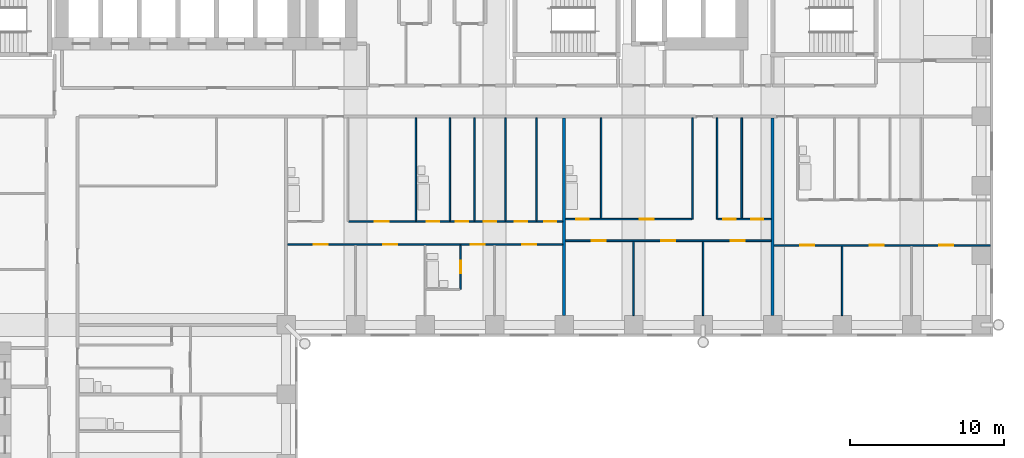
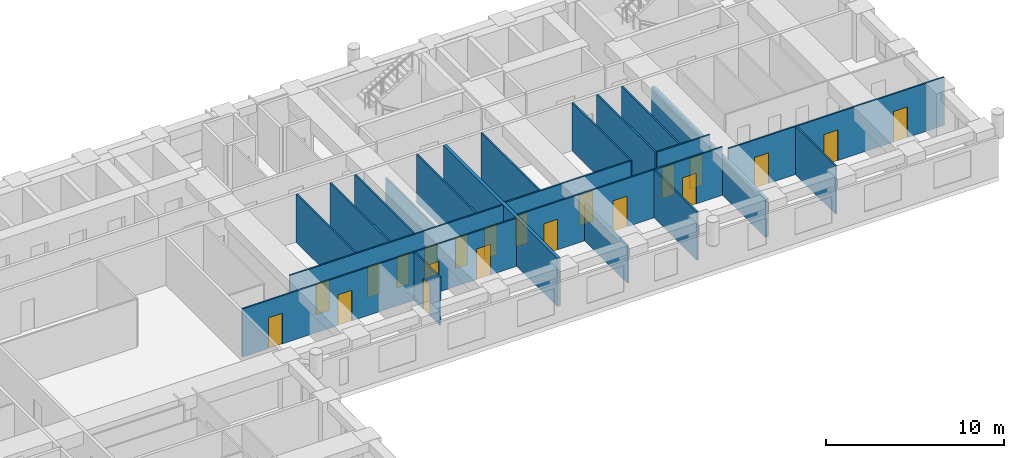
# One storey, part 9 of 14: 21 doors, 21 walls, 21 openings.
"""IFC4 building model written with IfcOpenShell, lengths in metres."""

import ifcopenshell
import ifcopenshell.guid

model = None  # the IFC model being written
_history = None  # IfcOwnerHistory: only IFC2X3 demands one
_inside = {}  # id of a spatial element -> (the spatial element, [elements in it])
_under = {}  # id of a project, library or spatial element -> (it, [spatial elements below it])
_declared = {}  # id of a project -> (the project, [libraries it declares])
_typed = {}  # id of a type object -> (the type object, [elements of that type])
_made_of = {}  # id of a material, layer set ... -> (it, [elements and type objects made of it])


def new_model(schema):
    """Start an empty IFC model of exactly this schema.

    Asked for "IFC4X3", IfcOpenShell would pick the latest addendum, in which some entities
    have other attributes; the version numbers below select the first issue.
    IFC2X3 requires an IfcOwnerHistory on every rooted entity: one is made here for all.
    """
    global model, _history
    if schema == "IFC4X3":
        model = ifcopenshell.file(schema_version=(4, 3, 0, 0))
    else:
        model = ifcopenshell.file(schema=schema)
    _inside.clear()
    _under.clear()
    _declared.clear()
    _typed.clear()
    _made_of.clear()
    _history = None
    if model.schema == "IFC2X3":
        org = make("IfcOrganization", Name="unknown")
        user = make(
            "IfcPersonAndOrganization",
            ThePerson=make("IfcPerson", FamilyName="unknown"),
            TheOrganization=org,
        )
        app = make(
            "IfcApplication",
            ApplicationDeveloper=org,
            Version="unknown",
            ApplicationFullName="unknown",
            ApplicationIdentifier="unknown",
        )
        _history = make(
            "IfcOwnerHistory",
            OwningUser=user,
            OwningApplication=app,
            ChangeAction="ADDED",
            CreationDate=0,
        )
    return model


def make(cls, **values):
    """One entity of the class cls with the attributes given. An attribute that is None is left unset."""
    return model.create_entity(
        cls, **{name: value for name, value in values.items() if value is not None}
    )


def rooted(cls, **values):
    """An entity with a GlobalId (a new one), such as an element, a storey or a relation."""
    return make(cls, GlobalId=ifcopenshell.guid.new(), OwnerHistory=_history, **values)


def si_unit(unit_type, name, prefix=None):
    """IfcSIUnit, for example si_unit("LENGTHUNIT", "METRE", prefix="MILLI")."""
    return make("IfcSIUnit", UnitType=unit_type, Prefix=prefix, Name=name)


def assignment(units):
    """IfcUnitAssignment: the units of a project."""
    return None if units is None else make("IfcUnitAssignment", Units=units)


def point(xyz):
    """IfcCartesianPoint."""
    return None if xyz is None else make("IfcCartesianPoint", Coordinates=xyz)


def direction(xyz):
    """IfcDirection."""
    return None if xyz is None else make("IfcDirection", DirectionRatios=xyz)


def frame(location, z_axis=None, x_axis=None):
    """IfcAxis2Placement3D, a coordinate frame: its origin and axes. An axis left out is left unset."""
    return make(
        "IfcAxis2Placement3D",
        Location=point(location),
        Axis=direction(z_axis),
        RefDirection=direction(x_axis),
    )


def frame_2d(location, x_axis=None):
    """IfcAxis2Placement2D, a coordinate frame in the plane: its origin and x axis."""
    return make(
        "IfcAxis2Placement2D", Location=point(location), RefDirection=direction(x_axis)
    )


def origin():
    """The frame at (0, 0, 0) with its axes left unset."""
    return frame((0.0, 0.0, 0.0))


def place(relative_to, where):
    """IfcLocalPlacement: puts the frame where relative to a parent placement (None: the world)."""
    return make(
        "IfcLocalPlacement", PlacementRelTo=relative_to, RelativePlacement=where
    )


def context(
    kind, dimensions, precision=None, world=None, true_north=None, identifier=None
):
    """IfcGeometricRepresentationContext, for example the 3D "Model" context."""
    return make(
        "IfcGeometricRepresentationContext",
        ContextIdentifier=identifier,
        ContextType=kind,
        CoordinateSpaceDimension=dimensions,
        Precision=precision,
        WorldCoordinateSystem=world,
        TrueNorth=true_north,
    )


def subcontext(parent, identifier, kind, view, scale=None):
    """IfcGeometricRepresentationSubContext, for example "Body" below "Model"."""
    return make(
        "IfcGeometricRepresentationSubContext",
        ContextIdentifier=identifier,
        ContextType=kind,
        ParentContext=parent,
        TargetScale=scale,
        TargetView=view,
    )


def project(units=None, contexts=None):
    """IfcProject with its units and contexts."""
    return rooted(
        "IfcProject",
        Name="project",
        RepresentationContexts=contexts,
        UnitsInContext=assignment(units),
    )


def spatial(cls, under=None, at=None, **own):
    """A site, building, storey or space (cls), placed at a placement, below another one or the project."""
    s = rooted(cls, ObjectPlacement=at, **own)
    if under is not None:
        _under.setdefault(under.id(), (under, []))[1].append(s)
    return s


def profile(cls, at=None, kind="AREA", **sizes):
    """A parametric profile (cls). Its sizes go by their IFC names, for example OverallWidth=200.0."""
    return make(cls, ProfileType=kind, Position=at, **sizes)


def rectangle(**sizes):
    """IfcRectangleProfileDef."""
    return profile("IfcRectangleProfileDef", **sizes)


def extrude(swept, where, along, depth):
    """IfcExtrudedAreaSolid: the profile swept, set in the frame where, extruded along a direction by depth."""
    return make(
        "IfcExtrudedAreaSolid",
        SweptArea=swept,
        Position=where,
        ExtrudedDirection=direction(along),
        Depth=depth,
    )


def shape(context_of_items, identifier, shape_type, items):
    """IfcShapeRepresentation: the items that make up one representation, for example the "Body"."""
    return make(
        "IfcShapeRepresentation",
        ContextOfItems=context_of_items,
        RepresentationIdentifier=identifier,
        RepresentationType=shape_type,
        Items=items,
    )


def material(Name=None, Category=None):
    """IfcMaterial."""
    return make("IfcMaterial", Name=Name, Category=Category)


def layer(
    of_material, thickness, ventilated=None, Name=None, Category=None, Priority=None
):
    """IfcMaterialLayer: one layer of a wall or slab, of a material (None: an air gap)."""
    return make(
        "IfcMaterialLayer",
        Material=of_material,
        LayerThickness=thickness,
        IsVentilated=ventilated,
        Name=Name,
        Category=Category,
        Priority=Priority,
    )


def layer_set(layers, Name=None):
    """IfcMaterialLayerSet."""
    return make("IfcMaterialLayerSet", MaterialLayers=layers, LayerSetName=Name)


def made_of(thing, what):
    """Note that an element or type object is made of a material, layer set ...; save() writes the relation."""
    if what is not None:
        _made_of.setdefault(what.id(), (what, []))[1].append(thing)
    return thing


def type_object(cls, material=None, **own):
    """A type object (cls), such as IfcWallType, which elements share."""
    return made_of(rooted(cls, **own), material)


def element(
    cls,
    number,
    at=None,
    inside=None,
    cuts=None,
    type_object=None,
    material=None,
    context=None,
    identifier="Body",
    shape_type=None,
    held_by="IfcProductDefinitionShape",
    body=None,
    shapes=None,
    **own,
):
    """One element of the class cls, such as IfcWall. Its Tag is "e" and its number.

    at: its placement. inside: the storey or other place that contains it. cuts: it is an
    opening in that element (IfcRelVoidsElement). A single representation is given by context,
    identifier, shape_type and body (its items); several are given by shapes. held_by: the class
    of the entity that holds the representations. save() writes the other relations.
    """
    e = rooted(cls, Tag="e%d" % number, ObjectPlacement=at, **own)
    if body is not None:
        shapes = [shape(context, identifier, shape_type, body)]
    if shapes is not None:
        e.Representation = make(held_by, Representations=shapes)
    if inside is not None:
        _inside.setdefault(inside.id(), (inside, []))[1].append(e)
    if cuts is not None:
        rooted(
            "IfcRelVoidsElement", RelatingBuildingElement=cuts, RelatedOpeningElement=e
        )
    if type_object is not None:
        _typed.setdefault(type_object.id(), (type_object, []))[1].append(e)
    return made_of(e, material)


def fill(opening, filler):
    """IfcRelFillsElement: the door or window that sits in an opening."""
    return rooted(
        "IfcRelFillsElement",
        RelatingOpeningElement=opening,
        RelatedBuildingElement=filler,
    )


def aggregate(whole, parts):
    """IfcRelAggregates: a whole, such as a stair, and the parts it consists of."""
    return rooted("IfcRelAggregates", RelatingObject=whole, RelatedObjects=parts)


def save(model, path):
    """Write the relations noted so far, then the file.

    IfcRelAggregates (storeys below a building ...), IfcRelContainedInSpatialStructure (elements
    in a storey), IfcRelDefinesByType, IfcRelAssociatesMaterial and IfcRelDeclares: one each for
    every whole, place, type object, material and project.
    """
    for whole, parts in _under.values():
        aggregate(whole, parts)
    for where, things in _inside.values():
        rooted(
            "IfcRelContainedInSpatialStructure",
            RelatedElements=things,
            RelatingStructure=where,
        )
    for kind, things in _typed.values():
        rooted("IfcRelDefinesByType", RelatedObjects=things, RelatingType=kind)
    for what, things in _made_of.values():
        rooted("IfcRelAssociatesMaterial", RelatedObjects=things, RelatingMaterial=what)
    for by, libraries in _declared.values():
        rooted("IfcRelDeclares", RelatingContext=by, RelatedDefinitions=libraries)
    model.write(path)


model = new_model("IFC4")

# Units and contexts
model_context = context("Model", 3, precision=1e-05, world=origin(), true_north=direction((0.0, 1.0)))
body_context = subcontext(model_context, "Body", "Model", "MODEL_VIEW")
ifc_project = project(units=[si_unit("LENGTHUNIT", "METRE"), si_unit("AREAUNIT", "SQUARE_METRE"), si_unit("VOLUMEUNIT", "CUBIC_METRE"), si_unit("PLANEANGLEUNIT", "RADIAN"), si_unit("MASSUNIT", "GRAM", prefix="KILO")], contexts=[model_context])

# Site, building, storey
site_placement = place(None, origin())
site = spatial("IfcSite", under=ifc_project, at=site_placement, CompositionType="ELEMENT")
building_placement = place(site_placement, origin())
building = spatial("IfcBuilding", under=site, at=building_placement, Name="Firuza Court", CompositionType="ELEMENT")
storey_placement = place(building_placement, frame((0.0, 0.0, 47.0)))
storey = spatial("IfcBuildingStorey", under=building, at=storey_placement, Name="L10", CompositionType="ELEMENT", Elevation=47.0)

# Wall, opening, door
ifc_material_1 = material(Name="Moisture-resistant gypsum board partition")
ifc_layer_1 = layer(ifc_material_1, 0.10009765625)
ifc_layer_set_1 = layer_set([ifc_layer_1], Name="Moisture-resistant gypsum board partition")
wall_type_1 = type_object("IfcWallType", Name="Bathroom partition 100", PredefinedType="PLUMBINGWALL", material=ifc_layer_set_1)
wall_1_placement = place(storey_placement, frame((33.800048828125, 38.300048828125, 0.0), z_axis=(0.0, 0.0, 1.0), x_axis=(0.0, 1.0, 0.0)))
wall_1 = element("IfcWall", 1, at=wall_1_placement, inside=storey, type_object=wall_type_1, Name="Bathroom partition 100 L10", PredefinedType="PLUMBINGWALL", context=body_context, shape_type="SweptSolid", body=[
    extrude(rectangle(XDim=2.849853515625, YDim=0.10009765625, at=frame_2d((1.4248046875, 0.0))), origin(), (0.0, 0.0, 1.0), 3.300048828125),
])
opening_1_placement = place(wall_1_placement, frame((1.050048828125, 0.0, 0.0)))
opening_1 = element("IfcOpeningElement", 2, at=opening_1_placement, cuts=wall_1, Name="Opening D10043", PredefinedType="OPENING", context=body_context, shape_type="SweptSolid", body=[
    extrude(rectangle(XDim=0.800048828125, YDim=2.10009765625, at=frame_2d((0.39990234375, 1.050048828125))), frame((0.0, 0.06201171875, 0.0), z_axis=(0.0, -1.0, 0.0), x_axis=(1.0, 0.0, 0.0)), (0.0, 0.0, 1.0), 0.1240234375),
])
ifc_material_2 = material(Name="Timber door leaf in hardwood frame", Category="wood")
door_type_1 = type_object("IfcDoorType", Name="Bathroom door 800", OperationType="SINGLE_SWING_LEFT", PredefinedType="DOOR", material=ifc_material_2)
door_1_placement = place(opening_1_placement, origin())
door_1 = element("IfcDoor", 3, at=door_1_placement, inside=storey, type_object=door_type_1, Name="En-suite door", OperationType="SINGLE_SWING_LEFT", OverallHeight=2.10009765625, OverallWidth=0.800048828125, PredefinedType="DOOR", context=body_context, shape_type="SweptSolid", body=[
    extrude(rectangle(XDim=0.800048828125, YDim=2.10009765625, at=frame_2d((0.39990234375, 1.050048828125))), frame((0.0, 0.02490234375, 0.0), z_axis=(0.0, -1.0, 0.0), x_axis=(1.0, 0.0, 0.0)), (0.0, 0.0, 1.0), 0.050048828125),
])
fill(opening_1, door_1)

# Walls
for number, where, z_axis, x_axis, name in (
    (4, (30.89990234375, 42.75, 0.0), (0.0, 0.0, 1.0), (0.0, 1.0, 0.0), "Bathroom partition 100 L10"),
    (5, (33.10009765625, 42.75, 0.0), (0.0, 0.0, 1.0), (0.0, 1.0, 0.0), "Bathroom partition 100 L10"),
):
    element("IfcWall", number, at=place(storey_placement, frame(where, z_axis=z_axis, x_axis=x_axis)), inside=storey, type_object=wall_type_1, Name=name, PredefinedType="PLUMBINGWALL", context=body_context, shape_type="SweptSolid", body=[
        extrude(rectangle(XDim=6.64990234375, YDim=0.10009765625, at=frame_2d((3.324951171875, 0.0))), origin(), (0.0, 0.0, 1.0), 3.300048828125),
    ])
wall_2_placement = place(storey_placement, frame((42.89990234375, 42.89990234375, 0.0), z_axis=(0.0, 0.0, 1.0), x_axis=(0.0, 1.0, 0.0)))
element("IfcWall", 6, at=wall_2_placement, inside=storey, type_object=wall_type_1, Name="Bathroom partition 100 L10", PredefinedType="PLUMBINGWALL", context=body_context, shape_type="SweptSolid", body=[
    extrude(rectangle(XDim=6.5, YDim=0.10009765625, at=frame_2d((3.25, 0.0))), origin(), (0.0, 0.0, 1.0), 3.300048828125),
])
ifc_material_3 = material(Name="Timber stud partition, plasterboard both sides", Category="wood")
ifc_layer_2 = layer(ifc_material_3, 0.10009765625)
ifc_layer_set_2 = layer_set([ifc_layer_2], Name="Timber stud partition, plasterboard both sides")
wall_type_2 = type_object("IfcWallType", Name="Partition wall 100", PredefinedType="PARTITIONING", material=ifc_layer_set_2)
wall_3_placement = place(storey_placement, frame((45.0, 36.60009765625, 0.0), z_axis=(0.0, 0.0, 1.0), x_axis=(0.0, 1.0, 0.0)))
element("IfcWall", 7, at=wall_3_placement, inside=storey, type_object=wall_type_2, Name="Partition wall 100 L10", PredefinedType="PARTITIONING", context=body_context, shape_type="SweptSolid", body=[
    extrude(rectangle(XDim=4.7998046875, YDim=0.10009765625, at=frame_2d((2.39990234375, 0.0))), origin(), (0.0, 0.0, 1.0), 2.60009765625),
])
wall_4_placement = place(storey_placement, frame((49.5, 36.60009765625, 0.0), z_axis=(0.0, 0.0, 1.0), x_axis=(0.0, 1.0, 0.0)))
element("IfcWall", 8, at=wall_4_placement, inside=storey, type_object=wall_type_2, Name="Partition wall 100 L10", PredefinedType="PARTITIONING", context=body_context, shape_type="SweptSolid", body=[
    extrude(rectangle(XDim=4.7998046875, YDim=0.10009765625, at=frame_2d((2.39990234375, 0.0))), origin(), (0.0, 0.0, 1.0), 3.300048828125),
])
wall_5_placement = place(storey_placement, frame((58.5, 36.60009765625, 0.0), z_axis=(0.0, 0.0, 1.0), x_axis=(0.0, 1.0, 0.0)))
element("IfcWall", 9, at=wall_5_placement, inside=storey, type_object=wall_type_2, Name="Partition wall 100 L10", PredefinedType="PARTITIONING", context=body_context, shape_type="SweptSolid", body=[
    extrude(rectangle(XDim=4.5, YDim=0.10009765625, at=frame_2d((2.25, 0.0))), origin(), (0.0, 0.0, 1.0), 3.300048828125),
])

# Wall, openings, doors
wall_6_placement = place(storey_placement, frame((54.10009765625, 41.14990234375, 0.0), z_axis=(0.0, 0.0, 1.0), x_axis=(1.0, 0.0, 0.0)))
wall_6 = element("IfcWall", 10, at=wall_6_placement, inside=storey, type_object=wall_type_2, Name="Partition wall 100 L10", PredefinedType="PARTITIONING", context=body_context, shape_type="SweptSolid", body=[
    extrude(rectangle(XDim=14.0, YDim=0.10009765625, at=frame_2d((7.0, 0.0))), origin(), (0.0, 0.0, 1.0), 3.300048828125),
])
opening_2_placement = place(wall_6_placement, frame((1.699951171875, 0.0, 0.0)))
opening_2 = element("IfcOpeningElement", 11, at=opening_2_placement, cuts=wall_6, Name="Opening D10044", PredefinedType="OPENING", context=body_context, shape_type="SweptSolid", body=[
    extrude(rectangle(XDim=0.89990234375, YDim=2.10009765625, at=frame_2d((0.449951171875, 1.050048828125))), frame((0.0, 0.06201171875, 0.0), z_axis=(0.0, -1.0, 0.0), x_axis=(1.0, 0.0, 0.0)), (0.0, 0.0, 1.0), 0.1240234375),
])
opening_3_placement = place(wall_6_placement, frame((6.199951171875, 0.0, 0.0)))
opening_3 = element("IfcOpeningElement", 12, at=opening_3_placement, cuts=wall_6, Name="Opening D10045", PredefinedType="OPENING", context=body_context, shape_type="SweptSolid", body=[
    extrude(rectangle(XDim=0.89990234375, YDim=2.10009765625, at=frame_2d((0.449951171875, 1.050048828125))), frame((0.0, 0.06201171875, 0.0), z_axis=(0.0, -1.0, 0.0), x_axis=(1.0, 0.0, 0.0)), (0.0, 0.0, 1.0), 0.1240234375),
])
opening_4_placement = place(wall_6_placement, frame((10.699951171875, 0.0, 0.0)))
opening_4 = element("IfcOpeningElement", 13, at=opening_4_placement, cuts=wall_6, Name="Opening D10046", PredefinedType="OPENING", context=body_context, shape_type="SweptSolid", body=[
    extrude(rectangle(XDim=0.89990234375, YDim=2.10009765625, at=frame_2d((0.449951171875, 1.050048828125))), frame((0.0, 0.06201171875, 0.0), z_axis=(0.0, -1.0, 0.0), x_axis=(1.0, 0.0, 0.0)), (0.0, 0.0, 1.0), 0.1240234375),
])
ifc_material_4 = material(Name="Timber door leaf in hardwood frame", Category="wood")
door_type_2 = type_object("IfcDoorType", Name="Room door 900", OperationType="SINGLE_SWING_LEFT", PredefinedType="DOOR", material=ifc_material_4)
door_2_placement = place(opening_2_placement, frame((0.89990234375, 0.0, 0.0), z_axis=(0.0, 0.0, 1.0), x_axis=(-1.0, 0.0, 0.0)))
door_2 = element("IfcDoor", 14, at=door_2_placement, inside=storey, type_object=door_type_2, Name="Living room door", OperationType="SINGLE_SWING_RIGHT", OverallHeight=2.10009765625, OverallWidth=0.89990234375, PredefinedType="DOOR", context=body_context, shape_type="SweptSolid", body=[
    extrude(rectangle(XDim=0.89990234375, YDim=2.10009765625, at=frame_2d((0.449951171875, 1.050048828125))), frame((0.0, 0.02490234375, 0.0), z_axis=(0.0, -1.0, 0.0), x_axis=(1.0, 0.0, 0.0)), (0.0, 0.0, 1.0), 0.050048828125),
])
fill(opening_2, door_2)
door_3_placement = place(opening_3_placement, frame((0.89990234375, 0.0, 0.0), z_axis=(0.0, 0.0, 1.0), x_axis=(-1.0, 0.0, 0.0)))
door_3 = element("IfcDoor", 15, at=door_3_placement, inside=storey, type_object=door_type_2, Name="Bedroom door", OperationType="SINGLE_SWING_RIGHT", OverallHeight=2.10009765625, OverallWidth=0.89990234375, PredefinedType="DOOR", context=body_context, shape_type="SweptSolid", body=[
    extrude(rectangle(XDim=0.89990234375, YDim=2.10009765625, at=frame_2d((0.449951171875, 1.050048828125))), frame((0.0, 0.02490234375, 0.0), z_axis=(0.0, -1.0, 0.0), x_axis=(1.0, 0.0, 0.0)), (0.0, 0.0, 1.0), 0.050048828125),
])
fill(opening_3, door_3)
door_4_placement = place(opening_4_placement, frame((0.89990234375, 0.0, 0.0), z_axis=(0.0, 0.0, 1.0), x_axis=(-1.0, 0.0, 0.0)))
door_4 = element("IfcDoor", 16, at=door_4_placement, inside=storey, type_object=door_type_2, Name="Bedroom door", OperationType="SINGLE_SWING_LEFT", OverallHeight=2.10009765625, OverallWidth=0.89990234375, PredefinedType="DOOR", context=body_context, shape_type="SweptSolid", body=[
    extrude(rectangle(XDim=0.89990234375, YDim=2.10009765625, at=frame_2d((0.449951171875, 1.050048828125))), frame((0.0, 0.02490234375, 0.0), z_axis=(0.0, -1.0, 0.0), x_axis=(1.0, 0.0, 0.0)), (0.0, 0.0, 1.0), 0.050048828125),
])
fill(opening_4, door_4)

wall_7_placement = place(storey_placement, frame((22.60009765625, 41.199951171875, 0.0), z_axis=(0.0, 0.0, 1.0), x_axis=(1.0, 0.0, 0.0)))
wall_7 = element("IfcWall", 17, at=wall_7_placement, inside=storey, type_object=wall_type_2, Name="Partition wall 100 L10", PredefinedType="PARTITIONING", context=body_context, shape_type="SweptSolid", body=[
    extrude(rectangle(XDim=17.7998046875, YDim=0.10009765625, at=frame_2d((8.89990234375, 0.0))), origin(), (0.0, 0.0, 1.0), 3.300048828125),
])
opening_5_placement = place(wall_7_placement, frame((1.699951171875, 0.0, 0.0)))
opening_5 = element("IfcOpeningElement", 18, at=opening_5_placement, cuts=wall_7, Name="Opening D10047", PredefinedType="OPENING", context=body_context, shape_type="SweptSolid", body=[
    extrude(rectangle(XDim=0.89990234375, YDim=2.10009765625, at=frame_2d((0.449951171875, 1.050048828125))), frame((0.0, 0.06201171875, 0.0), z_axis=(0.0, -1.0, 0.0), x_axis=(1.0, 0.0, 0.0)), (0.0, 0.0, 1.0), 0.1240234375),
])
opening_6_placement = place(wall_7_placement, frame((6.199951171875, 0.0, 0.0)))
opening_6 = element("IfcOpeningElement", 19, at=opening_6_placement, cuts=wall_7, Name="Opening D10048", PredefinedType="OPENING", context=body_context, shape_type="SweptSolid", body=[
    extrude(rectangle(XDim=0.89990234375, YDim=2.10009765625, at=frame_2d((0.449951171875, 1.050048828125))), frame((0.0, 0.06201171875, 0.0), z_axis=(0.0, -1.0, 0.0), x_axis=(1.0, 0.0, 0.0)), (0.0, 0.0, 1.0), 0.1240234375),
])
opening_7_placement = place(wall_7_placement, frame((11.85009765625, 0.0, 0.0)))
opening_7 = element("IfcOpeningElement", 20, at=opening_7_placement, cuts=wall_7, Name="Opening D10049", PredefinedType="OPENING", context=body_context, shape_type="SweptSolid", body=[
    extrude(rectangle(XDim=0.89990234375, YDim=2.10009765625, at=frame_2d((0.449951171875, 1.050048828125))), frame((0.0, 0.06201171875, 0.0), z_axis=(0.0, -1.0, 0.0), x_axis=(1.0, 0.0, 0.0)), (0.0, 0.0, 1.0), 0.1240234375),
])
opening_8_placement = place(wall_7_placement, frame((15.199951171875, 0.0, 0.0)))
opening_8 = element("IfcOpeningElement", 21, at=opening_8_placement, cuts=wall_7, Name="Opening D10050", PredefinedType="OPENING", context=body_context, shape_type="SweptSolid", body=[
    extrude(rectangle(XDim=0.89990234375, YDim=2.10009765625, at=frame_2d((0.449951171875, 1.050048828125))), frame((0.0, 0.06201171875, 0.0), z_axis=(0.0, -1.0, 0.0), x_axis=(1.0, 0.0, 0.0)), (0.0, 0.0, 1.0), 0.1240234375),
])
door_5_placement = place(opening_5_placement, frame((0.89990234375, 0.0, 0.0), z_axis=(0.0, 0.0, 1.0), x_axis=(-1.0, 0.0, 0.0)))
door_5 = element("IfcDoor", 22, at=door_5_placement, inside=storey, type_object=door_type_2, Name="Bedroom door", OperationType="SINGLE_SWING_RIGHT", OverallHeight=2.10009765625, OverallWidth=0.89990234375, PredefinedType="DOOR", context=body_context, shape_type="SweptSolid", body=[
    extrude(rectangle(XDim=0.89990234375, YDim=2.10009765625, at=frame_2d((0.449951171875, 1.050048828125))), frame((0.0, 0.02490234375, 0.0), z_axis=(0.0, -1.0, 0.0), x_axis=(1.0, 0.0, 0.0)), (0.0, 0.0, 1.0), 0.050048828125),
])
fill(opening_5, door_5)
door_6_placement = place(opening_6_placement, frame((0.89990234375, 0.0, 0.0), z_axis=(0.0, 0.0, 1.0), x_axis=(-1.0, 0.0, 0.0)))
door_6 = element("IfcDoor", 23, at=door_6_placement, inside=storey, type_object=door_type_2, Name="Living room door", OperationType="SINGLE_SWING_RIGHT", OverallHeight=2.10009765625, OverallWidth=0.89990234375, PredefinedType="DOOR", context=body_context, shape_type="SweptSolid", body=[
    extrude(rectangle(XDim=0.89990234375, YDim=2.10009765625, at=frame_2d((0.449951171875, 1.050048828125))), frame((0.0, 0.02490234375, 0.0), z_axis=(0.0, -1.0, 0.0), x_axis=(1.0, 0.0, 0.0)), (0.0, 0.0, 1.0), 0.050048828125),
])
fill(opening_6, door_6)
door_7_placement = place(opening_7_placement, frame((0.89990234375, 0.0, 0.0), z_axis=(0.0, 0.0, 1.0), x_axis=(-1.0, 0.0, 0.0)))
door_7 = element("IfcDoor", 24, at=door_7_placement, inside=storey, type_object=door_type_2, Name="Bedroom door", OperationType="SINGLE_SWING_RIGHT", OverallHeight=2.10009765625, OverallWidth=0.89990234375, PredefinedType="DOOR", context=body_context, shape_type="SweptSolid", body=[
    extrude(rectangle(XDim=0.89990234375, YDim=2.10009765625, at=frame_2d((0.449951171875, 1.050048828125))), frame((0.0, 0.02490234375, 0.0), z_axis=(0.0, -1.0, 0.0), x_axis=(1.0, 0.0, 0.0)), (0.0, 0.0, 1.0), 0.050048828125),
])
fill(opening_7, door_7)
door_8_placement = place(opening_8_placement, frame((0.89990234375, 0.0, 0.0), z_axis=(0.0, 0.0, 1.0), x_axis=(-1.0, 0.0, 0.0)))
door_8 = element("IfcDoor", 25, at=door_8_placement, inside=storey, type_object=door_type_2, Name="Bedroom door", OperationType="SINGLE_SWING_RIGHT", OverallHeight=2.10009765625, OverallWidth=0.89990234375, PredefinedType="DOOR", context=body_context, shape_type="SweptSolid", body=[
    extrude(rectangle(XDim=0.89990234375, YDim=2.10009765625, at=frame_2d((0.449951171875, 1.050048828125))), frame((0.0, 0.02490234375, 0.0), z_axis=(0.0, -1.0, 0.0), x_axis=(1.0, 0.0, 0.0)), (0.0, 0.0, 1.0), 0.050048828125),
])
fill(opening_8, door_8)

wall_8_placement = place(storey_placement, frame((40.60009765625, 41.449951171875, 0.0), z_axis=(0.0, 0.0, 1.0), x_axis=(1.0, 0.0, 0.0)))
wall_8 = element("IfcWall", 26, at=wall_8_placement, inside=storey, type_object=wall_type_2, Name="Partition wall 100 L10", PredefinedType="PARTITIONING", context=body_context, shape_type="SweptSolid", body=[
    extrude(rectangle(XDim=13.2998046875, YDim=0.10009765625, at=frame_2d((6.64990234375, 0.0))), origin(), (0.0, 0.0, 1.0), 3.300048828125),
])
opening_9_placement = place(wall_8_placement, frame((1.699951171875, 0.0, 0.0)))
opening_9 = element("IfcOpeningElement", 27, at=opening_9_placement, cuts=wall_8, Name="Opening D10051", PredefinedType="OPENING", context=body_context, shape_type="SweptSolid", body=[
    extrude(rectangle(XDim=0.89990234375, YDim=2.10009765625, at=frame_2d((0.449951171875, 1.050048828125))), frame((0.0, 0.06201171875, 0.0), z_axis=(0.0, -1.0, 0.0), x_axis=(1.0, 0.0, 0.0)), (0.0, 0.0, 1.0), 0.1240234375),
])
opening_10_placement = place(wall_8_placement, frame((6.199951171875, 0.0, 0.0)))
opening_10 = element("IfcOpeningElement", 28, at=opening_10_placement, cuts=wall_8, Name="Opening D10052", PredefinedType="OPENING", context=body_context, shape_type="SweptSolid", body=[
    extrude(rectangle(XDim=0.89990234375, YDim=2.10009765625, at=frame_2d((0.449951171875, 1.050048828125))), frame((0.0, 0.06201171875, 0.0), z_axis=(0.0, -1.0, 0.0), x_axis=(1.0, 0.0, 0.0)), (0.0, 0.0, 1.0), 0.1240234375),
])
opening_11_placement = place(wall_8_placement, frame((10.699951171875, 0.0, 0.0)))
opening_11 = element("IfcOpeningElement", 29, at=opening_11_placement, cuts=wall_8, Name="Opening D10053", PredefinedType="OPENING", context=body_context, shape_type="SweptSolid", body=[
    extrude(rectangle(XDim=0.89990234375, YDim=2.10009765625, at=frame_2d((0.449951171875, 1.050048828125))), frame((0.0, 0.06201171875, 0.0), z_axis=(0.0, -1.0, 0.0), x_axis=(1.0, 0.0, 0.0)), (0.0, 0.0, 1.0), 0.1240234375),
])
door_9_placement = place(opening_9_placement, frame((0.89990234375, 0.0, 0.0), z_axis=(0.0, 0.0, 1.0), x_axis=(-1.0, 0.0, 0.0)))
door_9 = element("IfcDoor", 30, at=door_9_placement, inside=storey, type_object=door_type_2, Name="Bedroom door", OperationType="SINGLE_SWING_RIGHT", OverallHeight=2.10009765625, OverallWidth=0.89990234375, PredefinedType="DOOR", context=body_context, shape_type="SweptSolid", body=[
    extrude(rectangle(XDim=0.89990234375, YDim=2.10009765625, at=frame_2d((0.449951171875, 1.050048828125))), frame((0.0, 0.02490234375, 0.0), z_axis=(0.0, -1.0, 0.0), x_axis=(1.0, 0.0, 0.0)), (0.0, 0.0, 1.0), 0.050048828125),
])
fill(opening_9, door_9)
door_10_placement = place(opening_10_placement, frame((0.89990234375, 0.0, 0.0), z_axis=(0.0, 0.0, 1.0), x_axis=(-1.0, 0.0, 0.0)))
door_10 = element("IfcDoor", 31, at=door_10_placement, inside=storey, type_object=door_type_2, Name="Living room door", OperationType="SINGLE_SWING_RIGHT", OverallHeight=2.10009765625, OverallWidth=0.89990234375, PredefinedType="DOOR", context=body_context, shape_type="SweptSolid", body=[
    extrude(rectangle(XDim=0.89990234375, YDim=2.10009765625, at=frame_2d((0.449951171875, 1.050048828125))), frame((0.0, 0.02490234375, 0.0), z_axis=(0.0, -1.0, 0.0), x_axis=(1.0, 0.0, 0.0)), (0.0, 0.0, 1.0), 0.050048828125),
])
fill(opening_10, door_10)
door_11_placement = place(opening_11_placement, frame((0.89990234375, 0.0, 0.0), z_axis=(0.0, 0.0, 1.0), x_axis=(-1.0, 0.0, 0.0)))
door_11 = element("IfcDoor", 32, at=door_11_placement, inside=storey, type_object=door_type_2, Name="Bedroom door", OperationType="SINGLE_SWING_RIGHT", OverallHeight=2.10009765625, OverallWidth=0.89990234375, PredefinedType="DOOR", context=body_context, shape_type="SweptSolid", body=[
    extrude(rectangle(XDim=0.89990234375, YDim=2.10009765625, at=frame_2d((0.449951171875, 1.050048828125))), frame((0.0, 0.02490234375, 0.0), z_axis=(0.0, -1.0, 0.0), x_axis=(1.0, 0.0, 0.0)), (0.0, 0.0, 1.0), 0.050048828125),
])
fill(opening_11, door_11)

wall_9_placement = place(storey_placement, frame((26.550048828125, 42.699951171875, 0.0), z_axis=(0.0, 0.0, 1.0), x_axis=(1.0, 0.0, 0.0)))
wall_9 = element("IfcWall", 33, at=wall_9_placement, inside=storey, type_object=wall_type_2, Name="Partition wall 100 L10", PredefinedType="PARTITIONING", context=body_context, shape_type="SweptSolid", body=[
    extrude(rectangle(XDim=13.849853515625, YDim=0.10009765625, at=frame_2d((6.9248046875, 0.0))), origin(), (0.0, 0.0, 1.0), 3.300048828125),
])
opening_12_placement = place(wall_9_placement, frame((5.050048828125, 0.0, 0.0)))
opening_12 = element("IfcOpeningElement", 34, at=opening_12_placement, cuts=wall_9, Name="Opening D10055", PredefinedType="OPENING", context=body_context, shape_type="SweptSolid", body=[
    extrude(rectangle(XDim=0.800048828125, YDim=2.10009765625, at=frame_2d((0.39990234375, 1.050048828125))), frame((0.0, 0.06201171875, 0.0), z_axis=(0.0, -1.0, 0.0), x_axis=(1.0, 0.0, 0.0)), (0.0, 0.0, 1.0), 0.1240234375),
])
opening_13_placement = place(wall_9_placement, frame((1.699951171875, 0.0, 0.0)))
opening_13 = element("IfcOpeningElement", 35, at=opening_13_placement, cuts=wall_9, Name="Opening D10056", PredefinedType="OPENING", context=body_context, shape_type="SweptSolid", body=[
    extrude(rectangle(XDim=0.89990234375, YDim=2.10009765625, at=frame_2d((0.449951171875, 1.050048828125))), frame((0.0, 0.06201171875, 0.0), z_axis=(0.0, -1.0, 0.0), x_axis=(1.0, 0.0, 0.0)), (0.0, 0.0, 1.0), 0.1240234375),
])
opening_14_placement = place(wall_9_placement, frame((10.75, 0.0, 0.0)))
opening_14 = element("IfcOpeningElement", 36, at=opening_14_placement, cuts=wall_9, Name="Opening D10057", PredefinedType="OPENING", context=body_context, shape_type="SweptSolid", body=[
    extrude(rectangle(XDim=0.800048828125, YDim=2.10009765625, at=frame_2d((0.39990234375, 1.050048828125))), frame((0.0, 0.06201171875, 0.0), z_axis=(0.0, -1.0, 0.0), x_axis=(1.0, 0.0, 0.0)), (0.0, 0.0, 1.0), 0.1240234375),
])
opening_15_placement = place(wall_9_placement, frame((6.949951171875, 0.0, 0.0)))
opening_15 = element("IfcOpeningElement", 37, at=opening_15_placement, cuts=wall_9, Name="Opening D10058", PredefinedType="OPENING", context=body_context, shape_type="SweptSolid", body=[
    extrude(rectangle(XDim=0.800048828125, YDim=2.10009765625, at=frame_2d((0.39990234375, 1.050048828125))), frame((0.0, 0.06201171875, 0.0), z_axis=(0.0, -1.0, 0.0), x_axis=(1.0, 0.0, 0.0)), (0.0, 0.0, 1.0), 0.1240234375),
])
opening_16_placement = place(wall_9_placement, frame((8.75, 0.0, 0.0)))
opening_16 = element("IfcOpeningElement", 38, at=opening_16_placement, cuts=wall_9, Name="Opening D10059", PredefinedType="OPENING", context=body_context, shape_type="SweptSolid", body=[
    extrude(rectangle(XDim=0.800048828125, YDim=2.10009765625, at=frame_2d((0.39990234375, 1.050048828125))), frame((0.0, 0.06201171875, 0.0), z_axis=(0.0, -1.0, 0.0), x_axis=(1.0, 0.0, 0.0)), (0.0, 0.0, 1.0), 0.1240234375),
])
opening_17_placement = place(wall_9_placement, frame((12.64990234375, 0.0, 0.0)))
opening_17 = element("IfcOpeningElement", 39, at=opening_17_placement, cuts=wall_9, Name="Opening D10060", PredefinedType="OPENING", context=body_context, shape_type="SweptSolid", body=[
    extrude(rectangle(XDim=0.800048828125, YDim=2.10009765625, at=frame_2d((0.39990234375, 1.050048828125))), frame((0.0, 0.06201171875, 0.0), z_axis=(0.0, -1.0, 0.0), x_axis=(1.0, 0.0, 0.0)), (0.0, 0.0, 1.0), 0.1240234375),
])
door_12_placement = place(opening_12_placement, origin())
door_12 = element("IfcDoor", 40, at=door_12_placement, inside=storey, type_object=door_type_1, Name="Bathroom 2 door", OperationType="SINGLE_SWING_LEFT", OverallHeight=2.10009765625, OverallWidth=0.800048828125, PredefinedType="DOOR", context=body_context, shape_type="SweptSolid", body=[
    extrude(rectangle(XDim=0.800048828125, YDim=2.10009765625, at=frame_2d((0.39990234375, 1.050048828125))), frame((0.0, 0.02490234375, 0.0), z_axis=(0.0, -1.0, 0.0), x_axis=(1.0, 0.0, 0.0)), (0.0, 0.0, 1.0), 0.050048828125),
])
fill(opening_12, door_12)
ifc_material_5 = material(Name="Timber door leaf in hardwood frame", Category="wood")
door_type_3 = type_object("IfcDoorType", Name="Room door 800", OperationType="SINGLE_SWING_LEFT", PredefinedType="DOOR", material=ifc_material_5)
door_13_placement = place(opening_14_placement, origin())
door_13 = element("IfcDoor", 41, at=door_13_placement, inside=storey, type_object=door_type_3, Name="Pantry door", OperationType="SINGLE_SWING_LEFT", OverallHeight=2.10009765625, OverallWidth=0.800048828125, PredefinedType="DOOR", context=body_context, shape_type="SweptSolid", body=[
    extrude(rectangle(XDim=0.800048828125, YDim=2.10009765625, at=frame_2d((0.39990234375, 1.050048828125))), frame((0.0, 0.02490234375, 0.0), z_axis=(0.0, -1.0, 0.0), x_axis=(1.0, 0.0, 0.0)), (0.0, 0.0, 1.0), 0.050048828125),
])
fill(opening_14, door_13)
door_14_placement = place(opening_15_placement, origin())
door_14 = element("IfcDoor", 42, at=door_14_placement, inside=storey, type_object=door_type_3, Name="Store door", OperationType="SINGLE_SWING_LEFT", OverallHeight=2.10009765625, OverallWidth=0.800048828125, PredefinedType="DOOR", context=body_context, shape_type="SweptSolid", body=[
    extrude(rectangle(XDim=0.800048828125, YDim=2.10009765625, at=frame_2d((0.39990234375, 1.050048828125))), frame((0.0, 0.02490234375, 0.0), z_axis=(0.0, -1.0, 0.0), x_axis=(1.0, 0.0, 0.0)), (0.0, 0.0, 1.0), 0.050048828125),
])
fill(opening_15, door_14)
door_15_placement = place(opening_16_placement, origin())
door_15 = element("IfcDoor", 43, at=door_15_placement, inside=storey, type_object=door_type_3, Name="Utility room door", OperationType="SINGLE_SWING_LEFT", OverallHeight=2.10009765625, OverallWidth=0.800048828125, PredefinedType="DOOR", context=body_context, shape_type="SweptSolid", body=[
    extrude(rectangle(XDim=0.800048828125, YDim=2.10009765625, at=frame_2d((0.39990234375, 1.050048828125))), frame((0.0, 0.02490234375, 0.0), z_axis=(0.0, -1.0, 0.0), x_axis=(1.0, 0.0, 0.0)), (0.0, 0.0, 1.0), 0.050048828125),
])
fill(opening_16, door_15)
door_16_placement = place(opening_17_placement, origin())
door_16 = element("IfcDoor", 44, at=door_16_placement, inside=storey, type_object=door_type_3, Name="Walk-in wardrobe door", OperationType="SINGLE_SWING_LEFT", OverallHeight=2.10009765625, OverallWidth=0.800048828125, PredefinedType="DOOR", context=body_context, shape_type="SweptSolid", body=[
    extrude(rectangle(XDim=0.800048828125, YDim=2.10009765625, at=frame_2d((0.39990234375, 1.050048828125))), frame((0.0, 0.02490234375, 0.0), z_axis=(0.0, -1.0, 0.0), x_axis=(1.0, 0.0, 0.0)), (0.0, 0.0, 1.0), 0.050048828125),
])
fill(opening_17, door_16)
door_17_placement = place(opening_13_placement, origin())
door_17 = element("IfcDoor", 45, at=door_17_placement, inside=storey, type_object=door_type_2, Name="Kitchen door", OperationType="SINGLE_SWING_LEFT", OverallHeight=2.10009765625, OverallWidth=0.89990234375, PredefinedType="DOOR", context=body_context, shape_type="SweptSolid", body=[
    extrude(rectangle(XDim=0.89990234375, YDim=2.10009765625, at=frame_2d((0.449951171875, 1.050048828125))), frame((0.0, 0.02490234375, 0.0), z_axis=(0.0, -1.0, 0.0), x_axis=(1.0, 0.0, 0.0)), (0.0, 0.0, 1.0), 0.050048828125),
])
fill(opening_13, door_17)

# Walls
wall_10_placement = place(storey_placement, frame((34.699951171875, 42.75, 0.0), z_axis=(0.0, 0.0, 1.0), x_axis=(0.0, 1.0, 0.0)))
element("IfcWall", 46, at=wall_10_placement, inside=storey, type_object=wall_type_2, Name="Partition wall 100 L10", PredefinedType="PARTITIONING", context=body_context, shape_type="SweptSolid", body=[
    extrude(rectangle(XDim=6.64990234375, YDim=0.10009765625, at=frame_2d((3.324951171875, 0.0))), origin(), (0.0, 0.0, 1.0), 3.300048828125),
])
wall_11_placement = place(storey_placement, frame((36.699951171875, 42.75, 0.0), z_axis=(0.0, 0.0, 1.0), x_axis=(0.0, 1.0, 0.0)))
element("IfcWall", 47, at=wall_11_placement, inside=storey, type_object=wall_type_2, Name="Partition wall 100 L10", PredefinedType="PARTITIONING", context=body_context, shape_type="SweptSolid", body=[
    extrude(rectangle(XDim=6.64990234375, YDim=0.10009765625, at=frame_2d((3.324951171875, 0.0))), origin(), (0.0, 0.0, 1.0), 2.39990234375),
])
wall_12_placement = place(storey_placement, frame((38.699951171875, 42.75, 0.0), z_axis=(0.0, 0.0, 1.0), x_axis=(0.0, 1.0, 0.0)))
element("IfcWall", 48, at=wall_12_placement, inside=storey, type_object=wall_type_2, Name="Partition wall 100 L10", PredefinedType="PARTITIONING", context=body_context, shape_type="SweptSolid", body=[
    extrude(rectangle(XDim=6.64990234375, YDim=0.10009765625, at=frame_2d((3.324951171875, 0.0))), origin(), (0.0, 0.0, 1.0), 3.300048828125),
])

# Wall, openings, doors
wall_13_placement = place(storey_placement, frame((40.60009765625, 42.85009765625, 0.0), z_axis=(0.0, 0.0, 1.0), x_axis=(1.0, 0.0, 0.0)))
wall_13 = element("IfcWall", 49, at=wall_13_placement, inside=storey, type_object=wall_type_2, Name="Partition wall 100 L10", PredefinedType="PARTITIONING", context=body_context, shape_type="SweptSolid", body=[
    extrude(rectangle(XDim=8.14990234375, YDim=0.10009765625, at=frame_2d((4.074951171875, 0.0))), origin(), (0.0, 0.0, 1.0), 3.300048828125),
])
opening_18_placement = place(wall_13_placement, frame((0.699951171875, 0.0, 0.0)))
opening_18 = element("IfcOpeningElement", 50, at=opening_18_placement, cuts=wall_13, Name="Opening D10061", PredefinedType="OPENING", context=body_context, shape_type="SweptSolid", body=[
    extrude(rectangle(XDim=0.800048828125, YDim=2.10009765625, at=frame_2d((0.39990234375, 1.050048828125))), frame((0.0, 0.06201171875, 0.0), z_axis=(0.0, -1.0, 0.0), x_axis=(1.0, 0.0, 0.0)), (0.0, 0.0, 1.0), 0.1240234375),
])
opening_19_placement = place(wall_13_placement, frame((4.800048828125, 0.0, 0.0)))
opening_19 = element("IfcOpeningElement", 51, at=opening_19_placement, cuts=wall_13, Name="Opening D10062", PredefinedType="OPENING", context=body_context, shape_type="SweptSolid", body=[
    extrude(rectangle(XDim=0.89990234375, YDim=2.10009765625, at=frame_2d((0.449951171875, 1.050048828125))), frame((0.0, 0.06201171875, 0.0), z_axis=(0.0, -1.0, 0.0), x_axis=(1.0, 0.0, 0.0)), (0.0, 0.0, 1.0), 0.1240234375),
])
door_18_placement = place(opening_18_placement, origin())
door_18 = element("IfcDoor", 52, at=door_18_placement, inside=storey, type_object=door_type_1, Name="Bathroom door", OperationType="SINGLE_SWING_LEFT", OverallHeight=2.10009765625, OverallWidth=0.800048828125, PredefinedType="DOOR", context=body_context, shape_type="SweptSolid", body=[
    extrude(rectangle(XDim=0.800048828125, YDim=2.10009765625, at=frame_2d((0.39990234375, 1.050048828125))), frame((0.0, 0.02490234375, 0.0), z_axis=(0.0, -1.0, 0.0), x_axis=(1.0, 0.0, 0.0)), (0.0, 0.0, 1.0), 0.050048828125),
])
fill(opening_18, door_18)
door_19_placement = place(opening_19_placement, origin())
door_19 = element("IfcDoor", 53, at=door_19_placement, inside=storey, type_object=door_type_2, Name="Kitchen door", OperationType="SINGLE_SWING_LEFT", OverallHeight=2.10009765625, OverallWidth=0.89990234375, PredefinedType="DOOR", context=body_context, shape_type="SweptSolid", body=[
    extrude(rectangle(XDim=0.89990234375, YDim=2.10009765625, at=frame_2d((0.449951171875, 1.050048828125))), frame((0.0, 0.02490234375, 0.0), z_axis=(0.0, -1.0, 0.0), x_axis=(1.0, 0.0, 0.0)), (0.0, 0.0, 1.0), 0.050048828125),
])
fill(opening_19, door_19)

# Walls
for number, where, z_axis, x_axis, name in (
    (54, (48.800048828125, 42.85009765625, 0.0), (0.0, 0.0, 1.0), (0.0, 1.0, 0.0), "Partition wall 100 L10"),
    (55, (50.39990234375, 42.85009765625, 0.0), (0.0, 0.0, 1.0), (0.0, 1.0, 0.0), "Partition wall 100 L10"),
):
    element("IfcWall", number, at=place(storey_placement, frame(where, z_axis=z_axis, x_axis=x_axis)), inside=storey, type_object=wall_type_2, Name=name, PredefinedType="PARTITIONING", context=body_context, shape_type="SweptSolid", body=[
        extrude(rectangle(XDim=6.5498046875, YDim=0.10009765625, at=frame_2d((3.27490234375, 0.0))), origin(), (0.0, 0.0, 1.0), 3.300048828125),
    ])

# Wall, openings, doors
wall_14_placement = place(storey_placement, frame((50.449951171875, 42.85009765625, 0.0), z_axis=(0.0, 0.0, 1.0), x_axis=(1.0, 0.0, 0.0)))
wall_14 = element("IfcWall", 56, at=wall_14_placement, inside=storey, type_object=wall_type_2, Name="Partition wall 100 L10", PredefinedType="PARTITIONING", context=body_context, shape_type="SweptSolid", body=[
    extrude(rectangle(XDim=3.449951171875, YDim=0.10009765625, at=frame_2d((1.72509765625, 0.0))), origin(), (0.0, 0.0, 1.0), 3.300048828125),
])
opening_20_placement = place(wall_14_placement, frame((0.35009765625, 0.0, 0.0)))
opening_20 = element("IfcOpeningElement", 57, at=opening_20_placement, cuts=wall_14, Name="Opening D10063", PredefinedType="OPENING", context=body_context, shape_type="SweptSolid", body=[
    extrude(rectangle(XDim=0.800048828125, YDim=2.10009765625, at=frame_2d((0.39990234375, 1.050048828125))), frame((0.0, 0.06201171875, 0.0), z_axis=(0.0, -1.0, 0.0), x_axis=(1.0, 0.0, 0.0)), (0.0, 0.0, 1.0), 0.1240234375),
])
opening_21_placement = place(wall_14_placement, frame((2.14990234375, 0.0, 0.0)))
opening_21 = element("IfcOpeningElement", 58, at=opening_21_placement, cuts=wall_14, Name="Opening D10064", PredefinedType="OPENING", context=body_context, shape_type="SweptSolid", body=[
    extrude(rectangle(XDim=0.800048828125, YDim=2.10009765625, at=frame_2d((0.39990234375, 1.050048828125))), frame((0.0, 0.06201171875, 0.0), z_axis=(0.0, -1.0, 0.0), x_axis=(1.0, 0.0, 0.0)), (0.0, 0.0, 1.0), 0.1240234375),
])
door_20_placement = place(opening_20_placement, origin())
door_20 = element("IfcDoor", 59, at=door_20_placement, inside=storey, type_object=door_type_3, Name="Store door", OperationType="SINGLE_SWING_LEFT", OverallHeight=2.10009765625, OverallWidth=0.800048828125, PredefinedType="DOOR", context=body_context, shape_type="SweptSolid", body=[
    extrude(rectangle(XDim=0.800048828125, YDim=2.10009765625, at=frame_2d((0.39990234375, 1.050048828125))), frame((0.0, 0.02490234375, 0.0), z_axis=(0.0, -1.0, 0.0), x_axis=(1.0, 0.0, 0.0)), (0.0, 0.0, 1.0), 0.050048828125),
])
fill(opening_20, door_20)
door_21_placement = place(opening_21_placement, origin())
door_21 = element("IfcDoor", 60, at=door_21_placement, inside=storey, type_object=door_type_3, Name="Utility room door", OperationType="SINGLE_SWING_LEFT", OverallHeight=2.10009765625, OverallWidth=0.800048828125, PredefinedType="DOOR", context=body_context, shape_type="SweptSolid", body=[
    extrude(rectangle(XDim=0.800048828125, YDim=2.10009765625, at=frame_2d((0.39990234375, 1.050048828125))), frame((0.0, 0.02490234375, 0.0), z_axis=(0.0, -1.0, 0.0), x_axis=(1.0, 0.0, 0.0)), (0.0, 0.0, 1.0), 0.050048828125),
])
fill(opening_21, door_21)

# Walls
wall_15_placement = place(storey_placement, frame((52.0, 42.89990234375, 0.0), z_axis=(0.0, 0.0, 1.0), x_axis=(0.0, 1.0, 0.0)))
element("IfcWall", 61, at=wall_15_placement, inside=storey, type_object=wall_type_2, Name="Partition wall 100 L10", PredefinedType="PARTITIONING", context=body_context, shape_type="SweptSolid", body=[
    extrude(rectangle(XDim=6.5, YDim=0.10009765625, at=frame_2d((3.25, 0.0))), origin(), (0.0, 0.0, 1.0), 3.300048828125),
])
ifc_material_6 = material(Name="Blockwork, plastered both sides", Category="masonry")
ifc_layer_3 = layer(ifc_material_6, 0.199951171875)
ifc_layer_set_3 = layer_set([ifc_layer_3], Name="Blockwork, plastered both sides")
wall_type_3 = type_object("IfcWallType", Name="Party wall 200", PredefinedType="PARTITIONING", material=ifc_layer_set_3)
wall_16_placement = place(storey_placement, frame((40.5, 36.60009765625, 0.0), z_axis=(0.0, 0.0, 1.0), x_axis=(0.0, 1.0, 0.0)))
element("IfcWall", 62, at=wall_16_placement, inside=storey, type_object=wall_type_3, Name="Party wall 200 L10", PredefinedType="PARTITIONING", context=body_context, shape_type="SweptSolid", body=[
    extrude(rectangle(XDim=12.7998046875, YDim=0.199951171875, at=frame_2d((6.39990234375, 0.0))), origin(), (0.0, 0.0, 1.0), 3.300048828125),
])
wall_17_placement = place(storey_placement, frame((54.0, 36.60009765625, 0.0), z_axis=(0.0, 0.0, 1.0), x_axis=(0.0, 1.0, 0.0)))
element("IfcWall", 63, at=wall_17_placement, inside=storey, type_object=wall_type_3, Name="Party wall 200 L10", PredefinedType="PARTITIONING", context=body_context, shape_type="SweptSolid", body=[
    extrude(rectangle(XDim=12.7998046875, YDim=0.199951171875, at=frame_2d((6.39990234375, 0.0))), origin(), (0.0, 0.0, 1.0), 2.60009765625),
])

save(model, "model.ifc")
